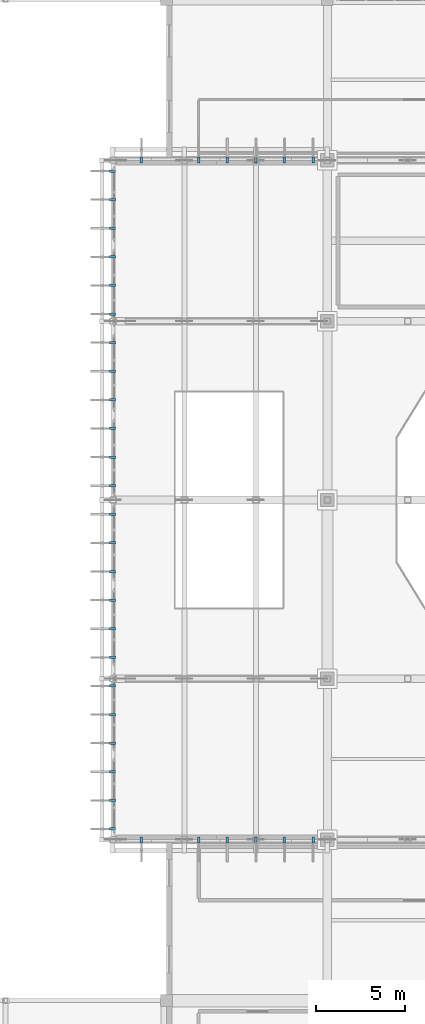
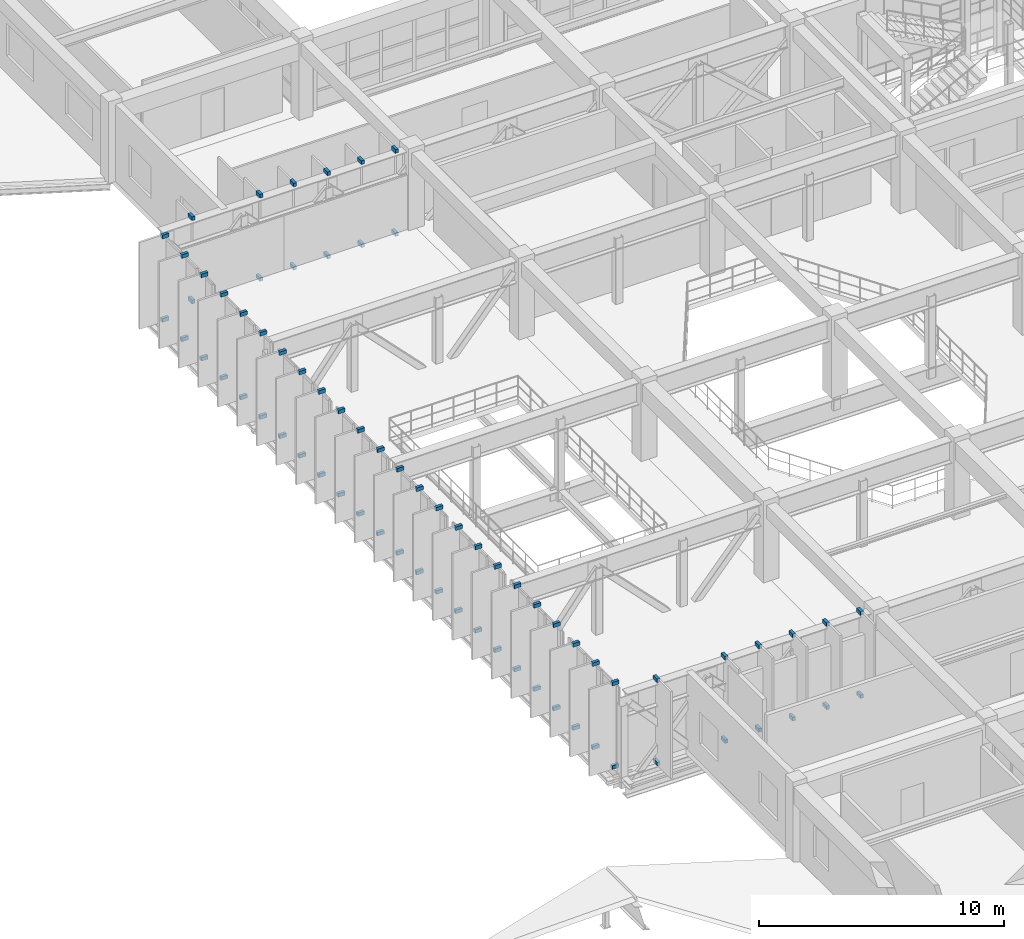
# One storey, part 120 of 130: 72 discrete accessories.
"""IFC4 building model written with IfcOpenShell, lengths in metres."""

from ifc_helpers import new_model, si_unit, direction, frame, origin, origin_2d, place, context, subcontext, project, spatial, rectangle, extrude, material, type_object, element, save


model = new_model("IFC4")

# Units and contexts
model_context = context("Model", 3, precision=1e-05, world=origin(), true_north=direction((0.0, 1.0)))
body_context = subcontext(model_context, "Body", "Model", "MODEL_VIEW")
ifc_project = project(units=[si_unit("LENGTHUNIT", "METRE"), si_unit("AREAUNIT", "SQUARE_METRE"), si_unit("VOLUMEUNIT", "CUBIC_METRE"), si_unit("PLANEANGLEUNIT", "RADIAN"), si_unit("MASSUNIT", "GRAM", prefix="KILO")], contexts=[model_context])

# Site, building, storey
site_placement = place(None, origin())
site = spatial("IfcSite", under=ifc_project, at=site_placement, CompositionType="ELEMENT")
building_placement = place(site_placement, origin())
building = spatial("IfcBuilding", under=site, at=building_placement, Name="Miravela Opera House", CompositionType="ELEMENT")
storey_placement = place(building_placement, frame((0.0, 0.0, 9.52001953125)))
storey = spatial("IfcBuildingStorey", under=building, at=storey_placement, Name="L02", CompositionType="ELEMENT", Elevation=9.52001953125)

# Discrete accessories
ifc_material = material(Name="Anodised architectural bronze aluminium 6063-T6", Category="aluminium")
discrete_accessory_type = type_object("IfcDiscreteAccessoryType", Name="ARC-BRK-FIN-320", PredefinedType="BRACKET", material=ifc_material)
for number, where, z_axis, x_axis, name in (
    (1, (14.97998046875, 37.60009765625, -0.259765625), (0.0, 0.0, 1.0), (1.0, 0.0, 0.0), "Bronze Fin Outrigger Bracket BOT 0001"),
    (2, (14.97998046875, 37.60009765625, 3.89990234375), (0.0, 0.0, 1.0), (1.0, 0.0, 0.0), "Bronze Fin Outrigger Bracket TOP 0002"),
    (3, (14.97998046875, 39.199951171875, -0.259765625), (0.0, 0.0, 1.0), (1.0, 0.0, 0.0), "Bronze Fin Outrigger Bracket BOT 0003"),
    (4, (14.97998046875, 39.199951171875, 3.89990234375), (0.0, 0.0, 1.0), (1.0, 0.0, 0.0), "Bronze Fin Outrigger Bracket TOP 0004"),
    (5, (14.97998046875, 40.800048828125, -0.259765625), (0.0, 0.0, 1.0), (1.0, 0.0, 0.0), "Bronze Fin Outrigger Bracket BOT 0005"),
    (6, (14.97998046875, 40.800048828125, 3.89990234375), (0.0, 0.0, 1.0), (1.0, 0.0, 0.0), "Bronze Fin Outrigger Bracket TOP 0006"),
    (7, (14.97998046875, 42.39990234375, -0.259765625), (0.0, 0.0, 1.0), (1.0, 0.0, 0.0), "Bronze Fin Outrigger Bracket BOT 0007"),
    (8, (14.97998046875, 42.39990234375, 3.89990234375), (0.0, 0.0, 1.0), (1.0, 0.0, 0.0), "Bronze Fin Outrigger Bracket TOP 0008"),
    (9, (14.97998046875, 44.0, -0.259765625), (0.0, 0.0, 1.0), (1.0, 0.0, 0.0), "Bronze Fin Outrigger Bracket BOT 0009"),
    (10, (14.97998046875, 44.0, 3.89990234375), (0.0, 0.0, 1.0), (1.0, 0.0, 0.0), "Bronze Fin Outrigger Bracket TOP 0010"),
    (11, (14.97998046875, 45.60009765625, -0.259765625), (0.0, 0.0, 1.0), (1.0, 0.0, 0.0), "Bronze Fin Outrigger Bracket BOT 0011"),
    (12, (14.97998046875, 45.60009765625, 3.89990234375), (0.0, 0.0, 1.0), (1.0, 0.0, 0.0), "Bronze Fin Outrigger Bracket TOP 0012"),
    (13, (14.97998046875, 47.199951171875, -0.259765625), (0.0, 0.0, 1.0), (1.0, 0.0, 0.0), "Bronze Fin Outrigger Bracket BOT 0013"),
    (14, (14.97998046875, 47.199951171875, 3.89990234375), (0.0, 0.0, 1.0), (1.0, 0.0, 0.0), "Bronze Fin Outrigger Bracket TOP 0014"),
    (15, (14.97998046875, 48.800048828125, -0.259765625), (0.0, 0.0, 1.0), (1.0, 0.0, 0.0), "Bronze Fin Outrigger Bracket BOT 0015"),
    (16, (14.97998046875, 48.800048828125, 3.89990234375), (0.0, 0.0, 1.0), (1.0, 0.0, 0.0), "Bronze Fin Outrigger Bracket TOP 0016"),
    (17, (14.97998046875, 50.39990234375, -0.259765625), (0.0, 0.0, 1.0), (1.0, 0.0, 0.0), "Bronze Fin Outrigger Bracket BOT 0017"),
    (18, (14.97998046875, 50.39990234375, 3.89990234375), (0.0, 0.0, 1.0), (1.0, 0.0, 0.0), "Bronze Fin Outrigger Bracket TOP 0018"),
    (19, (14.97998046875, 52.0, -0.259765625), (0.0, 0.0, 1.0), (1.0, 0.0, 0.0), "Bronze Fin Outrigger Bracket BOT 0019"),
    (20, (14.97998046875, 52.0, 3.89990234375), (0.0, 0.0, 1.0), (1.0, 0.0, 0.0), "Bronze Fin Outrigger Bracket TOP 0020"),
    (21, (14.97998046875, 53.60009765625, -0.259765625), (0.0, 0.0, 1.0), (1.0, 0.0, 0.0), "Bronze Fin Outrigger Bracket BOT 0021"),
    (22, (14.97998046875, 53.60009765625, 3.89990234375), (0.0, 0.0, 1.0), (1.0, 0.0, 0.0), "Bronze Fin Outrigger Bracket TOP 0022"),
    (23, (14.97998046875, 55.199951171875, -0.259765625), (0.0, 0.0, 1.0), (1.0, 0.0, 0.0), "Bronze Fin Outrigger Bracket BOT 0023"),
    (24, (14.97998046875, 55.199951171875, 3.89990234375), (0.0, 0.0, 1.0), (1.0, 0.0, 0.0), "Bronze Fin Outrigger Bracket TOP 0024"),
    (25, (14.97998046875, 56.800048828125, -0.259765625), (0.0, 0.0, 1.0), (1.0, 0.0, 0.0), "Bronze Fin Outrigger Bracket BOT 0025"),
    (26, (14.97998046875, 56.800048828125, 3.89990234375), (0.0, 0.0, 1.0), (1.0, 0.0, 0.0), "Bronze Fin Outrigger Bracket TOP 0026"),
    (27, (14.97998046875, 58.39990234375, -0.259765625), (0.0, 0.0, 1.0), (1.0, 0.0, 0.0), "Bronze Fin Outrigger Bracket BOT 0027"),
    (28, (14.97998046875, 58.39990234375, 3.89990234375), (0.0, 0.0, 1.0), (1.0, 0.0, 0.0), "Bronze Fin Outrigger Bracket TOP 0028"),
    (29, (14.97998046875, 60.0, -0.259765625), (0.0, 0.0, 1.0), (1.0, 0.0, 0.0), "Bronze Fin Outrigger Bracket BOT 0029"),
    (30, (14.97998046875, 60.0, 3.89990234375), (0.0, 0.0, 1.0), (1.0, 0.0, 0.0), "Bronze Fin Outrigger Bracket TOP 0030"),
    (31, (14.97998046875, 61.60009765625, -0.259765625), (0.0, 0.0, 1.0), (1.0, 0.0, 0.0), "Bronze Fin Outrigger Bracket BOT 0031"),
    (32, (14.97998046875, 61.60009765625, 3.89990234375), (0.0, 0.0, 1.0), (1.0, 0.0, 0.0), "Bronze Fin Outrigger Bracket TOP 0032"),
    (33, (14.97998046875, 63.199951171875, -0.259765625), (0.0, 0.0, 1.0), (1.0, 0.0, 0.0), "Bronze Fin Outrigger Bracket BOT 0033"),
    (34, (14.97998046875, 63.199951171875, 3.89990234375), (0.0, 0.0, 1.0), (1.0, 0.0, 0.0), "Bronze Fin Outrigger Bracket TOP 0034"),
    (35, (14.97998046875, 64.800048828125, -0.259765625), (0.0, 0.0, 1.0), (1.0, 0.0, 0.0), "Bronze Fin Outrigger Bracket BOT 0035"),
    (36, (14.97998046875, 64.800048828125, 3.89990234375), (0.0, 0.0, 1.0), (1.0, 0.0, 0.0), "Bronze Fin Outrigger Bracket TOP 0036"),
    (37, (14.97998046875, 66.39990234375, -0.259765625), (0.0, 0.0, 1.0), (1.0, 0.0, 0.0), "Bronze Fin Outrigger Bracket BOT 0037"),
    (38, (14.97998046875, 66.39990234375, 3.89990234375), (0.0, 0.0, 1.0), (1.0, 0.0, 0.0), "Bronze Fin Outrigger Bracket TOP 0038"),
    (39, (14.97998046875, 68.0, -0.259765625), (0.0, 0.0, 1.0), (1.0, 0.0, 0.0), "Bronze Fin Outrigger Bracket BOT 0039"),
    (40, (14.97998046875, 68.0, 3.89990234375), (0.0, 0.0, 1.0), (1.0, 0.0, 0.0), "Bronze Fin Outrigger Bracket TOP 0040"),
    (41, (14.97998046875, 69.60009765625, -0.259765625), (0.0, 0.0, 1.0), (1.0, 0.0, 0.0), "Bronze Fin Outrigger Bracket BOT 0041"),
    (42, (14.97998046875, 69.60009765625, 3.89990234375), (0.0, 0.0, 1.0), (1.0, 0.0, 0.0), "Bronze Fin Outrigger Bracket TOP 0042"),
    (43, (14.97998046875, 71.199951171875, -0.259765625), (0.0, 0.0, 1.0), (1.0, 0.0, 0.0), "Bronze Fin Outrigger Bracket BOT 0043"),
    (44, (14.97998046875, 71.199951171875, 3.89990234375), (0.0, 0.0, 1.0), (1.0, 0.0, 0.0), "Bronze Fin Outrigger Bracket TOP 0044"),
    (45, (14.97998046875, 72.800048828125, -0.259765625), (0.0, 0.0, 1.0), (1.0, 0.0, 0.0), "Bronze Fin Outrigger Bracket BOT 0045"),
    (46, (14.97998046875, 72.800048828125, 3.89990234375), (0.0, 0.0, 1.0), (1.0, 0.0, 0.0), "Bronze Fin Outrigger Bracket TOP 0046"),
    (47, (14.97998046875, 74.39990234375, -0.259765625), (0.0, 0.0, 1.0), (1.0, 0.0, 0.0), "Bronze Fin Outrigger Bracket BOT 0047"),
    (48, (14.97998046875, 74.39990234375, 3.89990234375), (0.0, 0.0, 1.0), (1.0, 0.0, 0.0), "Bronze Fin Outrigger Bracket TOP 0048"),
    (49, (16.60009765625, 75.02001953125, -0.259765625), (0.0, 0.0, 1.0), (0.0, 1.0, 0.0), "Bronze Fin Outrigger Bracket BOT 0049"),
    (50, (16.60009765625, 75.02001953125, 3.89990234375), (0.0, 0.0, 1.0), (0.0, 1.0, 0.0), "Bronze Fin Outrigger Bracket TOP 0050"),
    (51, (16.60009765625, 36.97998046875, -0.259765625), (0.0, 0.0, 1.0), (0.0, 1.0, 0.0), "Bronze Fin Outrigger Bracket BOT 0051"),
    (52, (16.60009765625, 36.97998046875, 3.89990234375), (0.0, 0.0, 1.0), (0.0, 1.0, 0.0), "Bronze Fin Outrigger Bracket TOP 0052"),
    (53, (19.800048828125, 75.02001953125, -0.259765625), (0.0, 0.0, 1.0), (0.0, 1.0, 0.0), "Bronze Fin Outrigger Bracket BOT 0053"),
    (54, (19.800048828125, 75.02001953125, 3.89990234375), (0.0, 0.0, 1.0), (0.0, 1.0, 0.0), "Bronze Fin Outrigger Bracket TOP 0054"),
    (55, (19.800048828125, 36.97998046875, -0.259765625), (0.0, 0.0, 1.0), (0.0, 1.0, 0.0), "Bronze Fin Outrigger Bracket BOT 0055"),
    (56, (19.800048828125, 36.97998046875, 3.89990234375), (0.0, 0.0, 1.0), (0.0, 1.0, 0.0), "Bronze Fin Outrigger Bracket TOP 0056"),
    (57, (21.39990234375, 75.02001953125, -0.259765625), (0.0, 0.0, 1.0), (0.0, 1.0, 0.0), "Bronze Fin Outrigger Bracket BOT 0057"),
    (58, (21.39990234375, 75.02001953125, 3.89990234375), (0.0, 0.0, 1.0), (0.0, 1.0, 0.0), "Bronze Fin Outrigger Bracket TOP 0058"),
    (59, (21.39990234375, 36.97998046875, -0.259765625), (0.0, 0.0, 1.0), (0.0, 1.0, 0.0), "Bronze Fin Outrigger Bracket BOT 0059"),
    (60, (21.39990234375, 36.97998046875, 3.89990234375), (0.0, 0.0, 1.0), (0.0, 1.0, 0.0), "Bronze Fin Outrigger Bracket TOP 0060"),
    (61, (23.0, 75.02001953125, -0.259765625), (0.0, 0.0, 1.0), (0.0, 1.0, 0.0), "Bronze Fin Outrigger Bracket BOT 0061"),
    (62, (23.0, 75.02001953125, 3.89990234375), (0.0, 0.0, 1.0), (0.0, 1.0, 0.0), "Bronze Fin Outrigger Bracket TOP 0062"),
    (63, (23.0, 36.97998046875, -0.259765625), (0.0, 0.0, 1.0), (0.0, 1.0, 0.0), "Bronze Fin Outrigger Bracket BOT 0063"),
    (64, (23.0, 36.97998046875, 3.89990234375), (0.0, 0.0, 1.0), (0.0, 1.0, 0.0), "Bronze Fin Outrigger Bracket TOP 0064"),
    (65, (24.60009765625, 75.02001953125, -0.259765625), (0.0, 0.0, 1.0), (0.0, 1.0, 0.0), "Bronze Fin Outrigger Bracket BOT 0065"),
    (66, (24.60009765625, 75.02001953125, 3.89990234375), (0.0, 0.0, 1.0), (0.0, 1.0, 0.0), "Bronze Fin Outrigger Bracket TOP 0066"),
    (67, (24.60009765625, 36.97998046875, -0.259765625), (0.0, 0.0, 1.0), (0.0, 1.0, 0.0), "Bronze Fin Outrigger Bracket BOT 0067"),
    (68, (24.60009765625, 36.97998046875, 3.89990234375), (0.0, 0.0, 1.0), (0.0, 1.0, 0.0), "Bronze Fin Outrigger Bracket TOP 0068"),
    (69, (26.199951171875, 75.02001953125, -0.259765625), (0.0, 0.0, 1.0), (0.0, 1.0, 0.0), "Bronze Fin Outrigger Bracket BOT 0069"),
    (70, (26.199951171875, 75.02001953125, 3.89990234375), (0.0, 0.0, 1.0), (0.0, 1.0, 0.0), "Bronze Fin Outrigger Bracket TOP 0070"),
    (71, (26.199951171875, 36.97998046875, -0.259765625), (0.0, 0.0, 1.0), (0.0, 1.0, 0.0), "Bronze Fin Outrigger Bracket BOT 0071"),
    (72, (26.199951171875, 36.97998046875, 3.89990234375), (0.0, 0.0, 1.0), (0.0, 1.0, 0.0), "Bronze Fin Outrigger Bracket TOP 0072"),
):
    element("IfcDiscreteAccessory", number, at=place(storey_placement, frame(where, z_axis=z_axis, x_axis=x_axis)), inside=storey, type_object=discrete_accessory_type, Name=name, PredefinedType="BRACKET", context=body_context, shape_type="SweptSolid", body=[
        extrude(rectangle(XDim=0.320068359375, YDim=0.139892578125, at=origin_2d()), origin(), (0.0, 0.0, 1.0), 0.179931640625),
    ])

save(model, "model.ifc")
